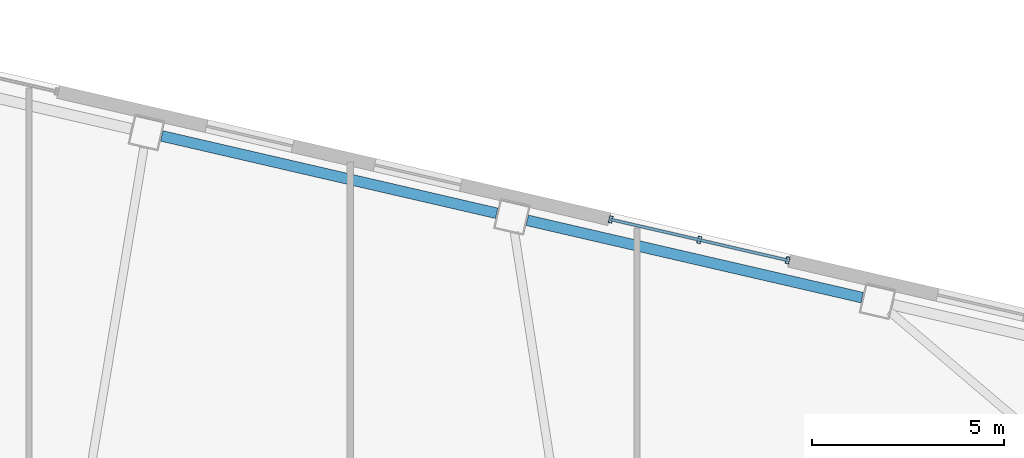
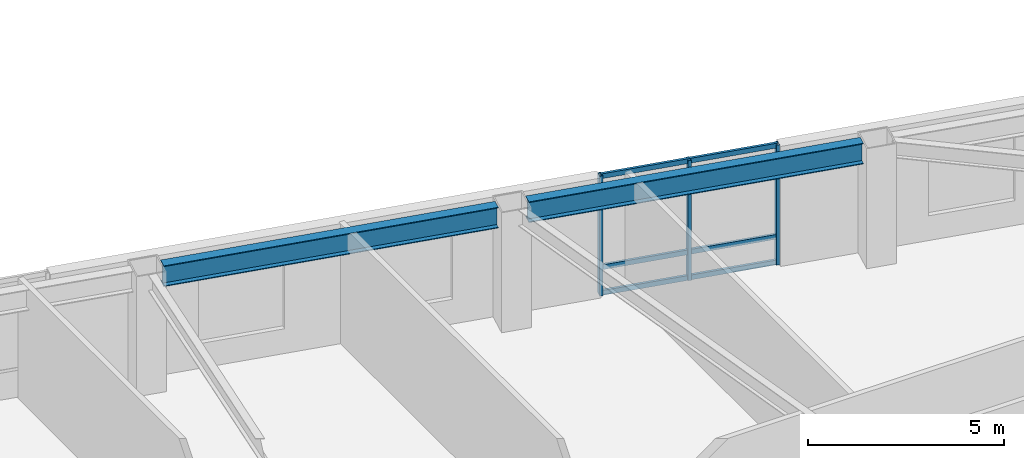
# One storey, part 9 of 22: 6 members, 2 beams, 1 element without a shape of its own.
"""IFC4 building model written with IfcOpenShell, lengths in metres."""

from ifc_helpers import new_model, si_unit, direction, frame, origin, origin_2d, place, context, subcontext, project, spatial, hollow_rectangle, i_section, extrude, material, layer, layer_set, material_profile, profile_set, type_object, element, aggregate, save


model = new_model("IFC4")

# Units and contexts
model_context = context("Model", 3, precision=1e-05, world=origin(), true_north=direction((0.0, 1.0)))
body_context = subcontext(model_context, "Body", "Model", "MODEL_VIEW")
ifc_project = project(units=[si_unit("LENGTHUNIT", "METRE"), si_unit("AREAUNIT", "SQUARE_METRE"), si_unit("VOLUMEUNIT", "CUBIC_METRE"), si_unit("PLANEANGLEUNIT", "RADIAN"), si_unit("MASSUNIT", "GRAM", prefix="KILO")], contexts=[model_context])

# Site, building, storey
site_placement = place(None, origin())
site = spatial("IfcSite", under=ifc_project, at=site_placement, CompositionType="ELEMENT")
building_placement = place(site_placement, origin())
building = spatial("IfcBuilding", under=site, at=building_placement, Name="Tavrogorsk Clinical Tower", CompositionType="ELEMENT")
storey_placement = place(building_placement, frame((0.0, 0.0, 55.39990234375)))
storey = spatial("IfcBuildingStorey", under=building, at=storey_placement, Name="L11", CompositionType="ELEMENT", Elevation=55.39990234375)

# Curtain wall, members
ifc_material_1 = material(Name="Anodised aluminium and triple IGU glazing", Category="aluminium")
ifc_layer = layer(ifc_material_1, 0.179931640625)
ifc_layer_set = layer_set([ifc_layer], Name="Anodised aluminium and triple IGU glazing")
curtain_wall_type = type_object("IfcCurtainWallType", Name="CW2_NorthSlot", PredefinedType="NOTDEFINED", material=ifc_layer_set)
curtain_wall_placement = place(storey_placement, origin())
curtain_wall = element("IfcCurtainWall", 1, at=curtain_wall_placement, inside=storey, type_object=curtain_wall_type, Name="L11 Curtain Wall CW-L11-N-SLOT-2", PredefinedType="NOTDEFINED")
ifc_material_2 = material(Name="Anodised aluminium alloy AW-6060", Category="aluminium")
ifc_material_profile_1 = material_profile(ifc_material_2, hollow_rectangle(XDim=0.090087890625, YDim=0.179931640625, WallThickness=0.00634765625, at=origin_2d()), Name="RHS-180x90x6.3")
ifc_profile_set_1 = profile_set([ifc_material_profile_1], Name="Anodised aluminium alloy AW-6060")
member_type_1 = type_object("IfcMemberType", Name="CwMullion_180x90", PredefinedType="MULLION", material=ifc_profile_set_1)
member_1_placement = place(storey_placement, frame((15.117919921875, 20.254638671875, 0.0), z_axis=(0.0, 0.0, 1.0), x_axis=(-0.974370046851, 0.224951132027, 0.0)))
member_1 = element("IfcMember", 2, at=member_1_placement, type_object=member_type_1, Name="CW-L11-N-SLOT-2 Mullion 1", PredefinedType="MULLION", context=body_context, shape_type="SweptSolid", body=[
    extrude(hollow_rectangle(XDim=0.090087890625, YDim=0.179931640625, WallThickness=0.00634765625, at=origin_2d()), origin(), (0.0, 0.0, 1.0), 3.739990234375),
])
member_2_placement = place(storey_placement, frame((12.8193359375, 20.78515625, 0.0), z_axis=(0.0, 0.0, 1.0), x_axis=(-0.974370046851, 0.224951132027, 0.0)))
member_2 = element("IfcMember", 3, at=member_2_placement, type_object=member_type_1, Name="CW-L11-N-SLOT-2 Mullion 2", PredefinedType="MULLION", context=body_context, shape_type="SweptSolid", body=[
    extrude(hollow_rectangle(XDim=0.090087890625, YDim=0.179931640625, WallThickness=0.00634765625, at=origin_2d()), origin(), (0.0, 0.0, 1.0), 3.739990234375),
])
member_3_placement = place(storey_placement, frame((10.520751953125, 21.31591796875, 0.0), z_axis=(0.0, 0.0, 1.0), x_axis=(-0.974370046851, 0.224951132027, 0.0)))
member_3 = element("IfcMember", 4, at=member_3_placement, type_object=member_type_1, Name="CW-L11-N-SLOT-2 Mullion 3", PredefinedType="MULLION", context=body_context, shape_type="SweptSolid", body=[
    extrude(hollow_rectangle(XDim=0.090087890625, YDim=0.179931640625, WallThickness=0.00634765625, at=origin_2d()), origin(), (0.0, 0.0, 1.0), 3.739990234375),
])
ifc_material_3 = material(Name="Anodised aluminium alloy AW-6060", Category="aluminium")
ifc_material_profile_2 = material_profile(ifc_material_3, hollow_rectangle(XDim=0.074951171875, YDim=0.14990234375, WallThickness=0.0048828125, at=origin_2d()), Name="RHS-150x75x5")
ifc_profile_set_2 = profile_set([ifc_material_profile_2], Name="Anodised aluminium alloy AW-6060")
member_type_2 = type_object("IfcMemberType", Name="CwTransom_150x75", PredefinedType="USERDEFINED", material=ifc_profile_set_2)
member_4_placement = place(storey_placement, frame((15.117919921875, 20.254638671875, 0.050048828125), z_axis=(-0.974372877948, 0.22493886885, 0.0), x_axis=(-0.22493886885, -0.974372877948, 0.0)))
member_4 = element("IfcMember", 5, at=member_4_placement, type_object=member_type_2, Name="CW-L11-N-SLOT-2 Transom 1", ObjectType="TRANSOM", PredefinedType="USERDEFINED", context=body_context, shape_type="SweptSolid", body=[
    extrude(hollow_rectangle(XDim=0.074951171875, YDim=0.14990234375, WallThickness=0.0048828125, at=origin_2d()), origin(), (0.0, 0.0, 1.0), 4.718017578125),
])
member_5_placement = place(storey_placement, frame((15.117919921875, 20.254638671875, 0.85009765625), z_axis=(-0.974372877948, 0.22493886885, 0.0), x_axis=(-0.22493886885, -0.974372877948, 0.0)))
member_5 = element("IfcMember", 6, at=member_5_placement, type_object=member_type_2, Name="CW-L11-N-SLOT-2 Transom 2", ObjectType="TRANSOM", PredefinedType="USERDEFINED", context=body_context, shape_type="SweptSolid", body=[
    extrude(hollow_rectangle(XDim=0.074951171875, YDim=0.14990234375, WallThickness=0.0048828125, at=origin_2d()), origin(), (0.0, 0.0, 1.0), 4.718017578125),
])
member_6_placement = place(storey_placement, frame((15.117919921875, 20.254638671875, 3.690185546875), z_axis=(-0.974372877948, 0.22493886885, 0.0), x_axis=(-0.22493886885, -0.974372877948, 0.0)))
member_6 = element("IfcMember", 7, at=member_6_placement, type_object=member_type_2, Name="CW-L11-N-SLOT-2 Transom 3", ObjectType="TRANSOM", PredefinedType="USERDEFINED", context=body_context, shape_type="SweptSolid", body=[
    extrude(hollow_rectangle(XDim=0.074951171875, YDim=0.14990234375, WallThickness=0.0048828125, at=origin_2d()), origin(), (0.0, 0.0, 1.0), 4.718017578125),
])
aggregate(curtain_wall, [member_1, member_2, member_3, member_4, member_5, member_6])

# Beams
ifc_material_4 = material(Name="Structural steel S390", Category="steel")
ifc_material_profile_3 = material_profile(ifc_material_4, i_section(OverallWidth=0.280029296875, OverallDepth=0.64990234375, WebThickness=0.01611328125, FlangeThickness=0.02490234375, at=origin_2d()), Name="B-650x280x16x25")
ifc_profile_set_3 = profile_set([ifc_material_profile_3], Name="Structural steel S390")
beam_type = type_object("IfcBeamType", Name="SpandrelBeam_B650", PredefinedType="SPANDREL", material=ifc_profile_set_3)
for number, where, z_axis, x_axis, name in (
    (8, (17.056396484375, 19.28369140625, 3.4150390625), (-0.974372766602, 0.224939351168, 0.0), (-0.224939351168, -0.974372766602, 0.0), "L11 Perimeter Spandrel N3-N4"),
    (9, (7.5576171875, 21.4765625, 3.4150390625), (-0.974366775889, 0.224965299645, 0.0), (-0.224965299645, -0.974366775889, 0.0), "L11 Perimeter Spandrel N4-N5"),
):
    element("IfcBeam", number, at=place(storey_placement, frame(where, z_axis=z_axis, x_axis=x_axis)), inside=storey, type_object=beam_type, Name=name, PredefinedType="SPANDREL", context=body_context, shape_type="SweptSolid", body=[
        extrude(i_section(OverallWidth=0.280029296875, OverallDepth=0.64990234375, WebThickness=0.01611328125, FlangeThickness=0.02490234375, at=origin_2d()), origin(), (0.0, 0.0, 1.0), 8.9326171875),
    ])

save(model, "model.ifc")
